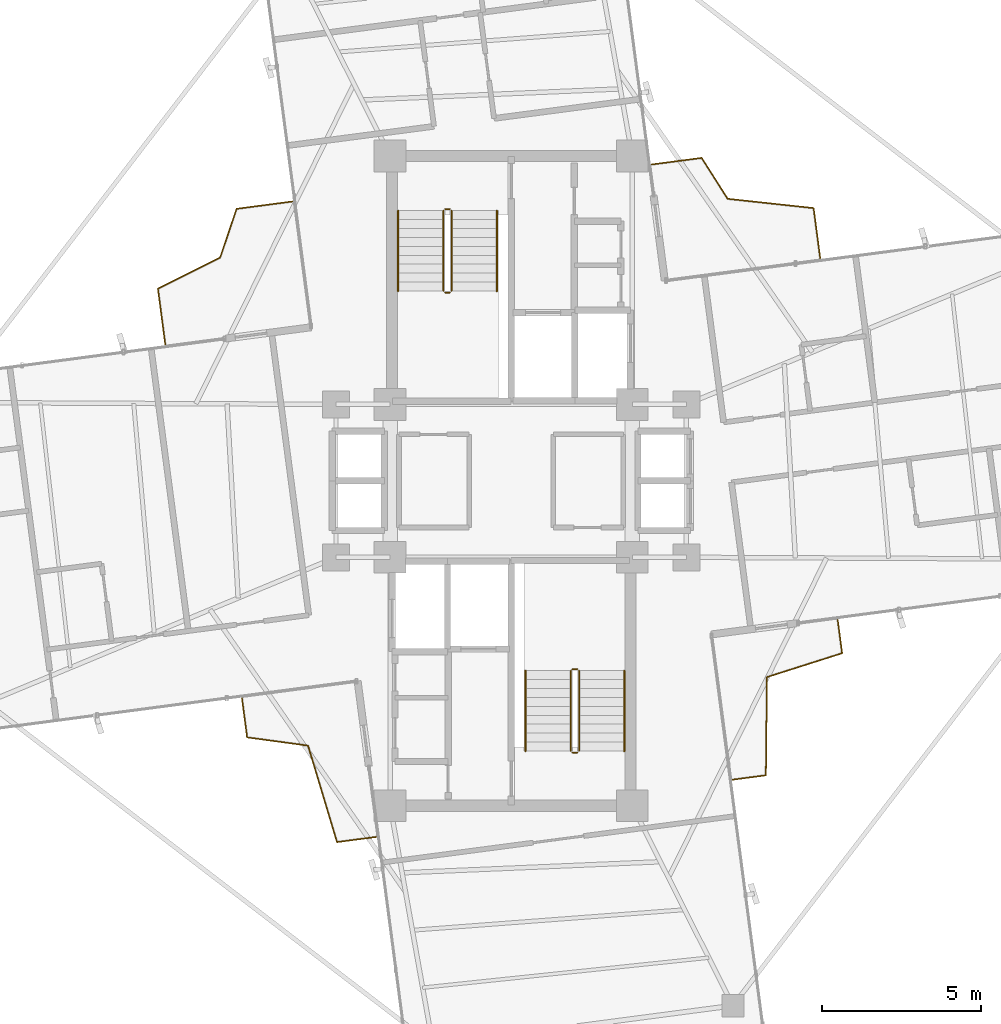
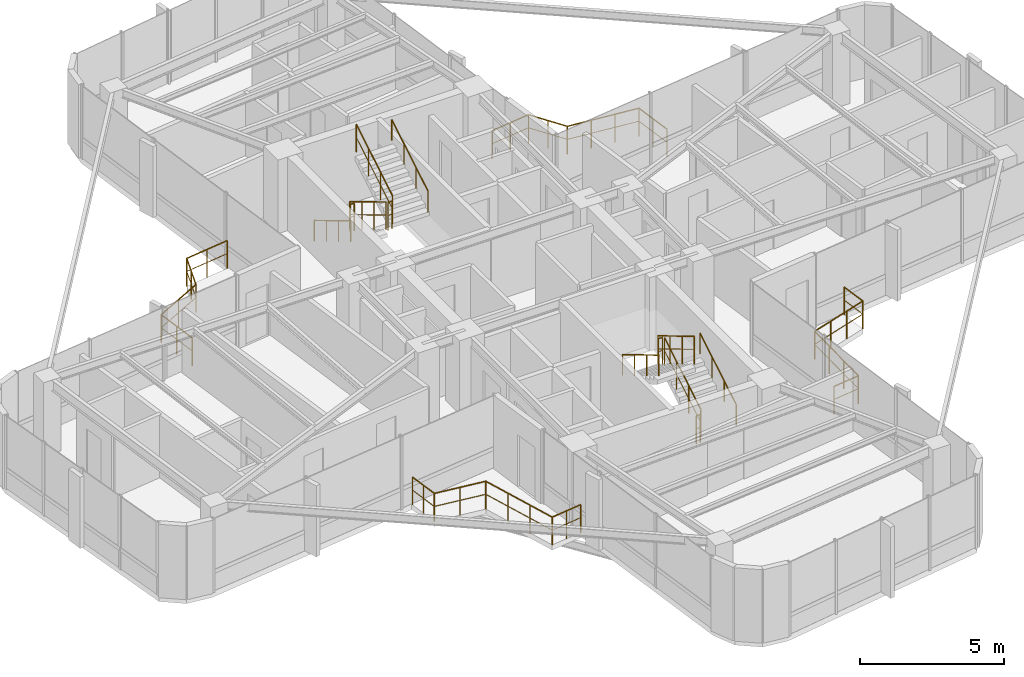
# One storey, part 22 of 22: 16 railings.
"""IFC4 building model written with IfcOpenShell, lengths in metres."""

from ifc_helpers import new_model, si_unit, direction, frame, origin, origin_2d, place, context, subcontext, project, spatial, circle, extrude, material, type_object, element, save


model = new_model("IFC4")

# Units and contexts
model_context = context("Model", 3, precision=1e-05, world=origin(), true_north=direction((0.0, 1.0)))
body_context = subcontext(model_context, "Body", "Model", "MODEL_VIEW")
ifc_project = project(units=[si_unit("LENGTHUNIT", "METRE"), si_unit("AREAUNIT", "SQUARE_METRE"), si_unit("VOLUMEUNIT", "CUBIC_METRE"), si_unit("PLANEANGLEUNIT", "RADIAN"), si_unit("MASSUNIT", "GRAM", prefix="KILO")], contexts=[model_context])

# Site, building, storey
site_placement = place(None, origin())
site = spatial("IfcSite", under=ifc_project, at=site_placement, CompositionType="ELEMENT")
building_placement = place(site_placement, origin())
building = spatial("IfcBuilding", under=site, at=building_placement, Name="Sahyath Konkavel Grand Hotel", CompositionType="ELEMENT")
storey_placement = place(building_placement, frame((0.0, 0.0, 272.449951171875)))
storey = spatial("IfcBuildingStorey", under=building, at=storey_placement, Name="L76", CompositionType="ELEMENT", Elevation=272.449951171875)

# Railings
ifc_material_1 = material(Name="Anodised Bronze Aluminium", Category="aluminium")
railing_type_1 = type_object("IfcRailingType", Name="RLG-BALC-1200", PredefinedType="GUARDRAIL", material=ifc_material_1)
railing_1_placement = place(storey_placement, frame((9.7001953125, 6.98583984375, 0.0)))
element("IfcRailing", 1, at=railing_1_placement, inside=storey, type_object=railing_type_1, Name="L76 Winter-Garden Guard NE", PredefinedType="GUARDRAIL", context=body_context, shape_type="SweptSolid", body=[
    extrude(circle(Radius=0.02392578125, at=origin_2d()), frame((-0.000244140625, 0.001953125, 1.17578125), z_axis=(-0.130494225602, 0.991449069335, 0.0), x_axis=(-0.991449069335, -0.130494225602, 0.0)), (0.0, 0.0, 1.0), 1.586181640625),
    extrude(circle(Radius=0.01416015625, at=origin_2d()), frame((-0.000244140625, 0.001953125, 0.6240234375), z_axis=(-0.130494225602, 0.991449069335, 0.0), x_axis=(-0.991449069335, -0.130494225602, 0.0)), (0.0, 0.0, 1.0), 1.586181640625),
    extrude(circle(Radius=0.02392578125, at=origin_2d()), frame((-0.20947265625, 1.576904296875, 1.17578125), z_axis=(-0.994195610689, 0.107587581468, 0.0), x_axis=(-0.107587581468, -0.994195610689, 0.0)), (0.0, 0.0, 1.0), 2.7099609375),
    extrude(circle(Radius=0.01416015625, at=origin_2d()), frame((-0.20947265625, 1.576904296875, 0.6240234375), z_axis=(-0.994195610689, 0.107587581468, 0.0), x_axis=(-0.107587581468, -0.994195610689, 0.0)), (0.0, 0.0, 1.0), 2.7099609375),
    extrude(circle(Radius=0.02392578125, at=origin_2d()), frame((-2.90673828125, 1.870361328125, 1.17578125), z_axis=(-0.536719701394, 0.843760607125, 0.0), x_axis=(-0.843760607125, -0.536719701394, 0.0)), (0.0, 0.0, 1.0), 1.51708984375),
    extrude(circle(Radius=0.01416015625, at=origin_2d()), frame((-2.90673828125, 1.870361328125, 0.6240234375), z_axis=(-0.536719701394, 0.843760607125, 0.0), x_axis=(-0.843760607125, -0.536719701394, 0.0)), (0.0, 0.0, 1.0), 1.51708984375),
    extrude(circle(Radius=0.02392578125, at=origin_2d()), frame((-3.72412109375, 3.15185546875, 1.17578125), z_axis=(-0.991449069335, -0.130494225602, 0.0), x_axis=(0.130494225602, -0.991449069335, 0.0)), (0.0, 0.0, 1.0), 1.586181640625),
    extrude(circle(Radius=0.01416015625, at=origin_2d()), frame((-3.72412109375, 3.15185546875, 0.6240234375), z_axis=(-0.991449069335, -0.130494225602, 0.0), x_axis=(0.130494225602, -0.991449069335, 0.0)), (0.0, 0.0, 1.0), 1.586181640625),
    extrude(circle(Radius=0.02099609375, at=origin_2d()), origin(), (0.0, 0.0, 1.0), 1.15185546875),
    extrude(circle(Radius=0.02099609375, at=origin_2d()), frame((-0.103759765625, 0.788330078125, 0.0)), (0.0, 0.0, 1.0), 1.15185546875),
    extrude(circle(Radius=0.02099609375, at=origin_2d()), frame((-0.20751953125, 1.57666015625, 0.0)), (0.0, 0.0, 1.0), 1.15185546875),
    extrude(circle(Radius=0.02099609375, at=origin_2d()), frame((-1.10693359375, 1.674072265625, 0.0)), (0.0, 0.0, 1.0), 1.15185546875),
    extrude(circle(Radius=0.02099609375, at=origin_2d()), frame((-2.00634765625, 1.771240234375, 0.0)), (0.0, 0.0, 1.0), 1.15185546875),
    extrude(circle(Radius=0.02099609375, at=origin_2d()), frame((-2.90576171875, 1.86865234375, 0.0)), (0.0, 0.0, 1.0), 1.15185546875),
    extrude(circle(Radius=0.02099609375, at=origin_2d()), frame((-3.31396484375, 2.51025390625, 0.0)), (0.0, 0.0, 1.0), 1.15185546875),
    extrude(circle(Radius=0.02099609375, at=origin_2d()), frame((-3.72216796875, 3.152099609375, 0.0)), (0.0, 0.0, 1.0), 1.15185546875),
    extrude(circle(Radius=0.02099609375, at=origin_2d()), frame((-4.510498046875, 3.04833984375, 0.0)), (0.0, 0.0, 1.0), 1.15185546875),
    extrude(circle(Radius=0.02099609375, at=origin_2d()), frame((-5.298828125, 2.944580078125, 0.0)), (0.0, 0.0, 1.0), 1.15185546875),
])
railing_2_placement = place(storey_placement, frame((-6.863525390625, 8.771240234375, 0.0)))
element("IfcRailing", 2, at=railing_2_placement, inside=storey, type_object=railing_type_1, Name="L76 Winter-Garden Guard NW", PredefinedType="GUARDRAIL", context=body_context, shape_type="SweptSolid", body=[
    extrude(circle(Radius=0.02392578125, at=origin_2d()), frame((-0.001953125, -0.000244140625, 1.17578125), z_axis=(-0.991431298778, -0.13062916904, 0.0), x_axis=(0.13062916904, -0.991431298778, 0.0)), (0.0, 0.0, 1.0), 1.767822265625),
    extrude(circle(Radius=0.01416015625, at=origin_2d()), frame((-0.001953125, -0.000244140625, 0.6240234375), z_axis=(-0.991431298778, -0.13062916904, 0.0), x_axis=(0.13062916904, -0.991431298778, 0.0)), (0.0, 0.0, 1.0), 1.767822265625),
    extrude(circle(Radius=0.02392578125, at=origin_2d()), frame((-1.75732421875, -0.2333984375, 1.17578125), z_axis=(-0.32044580561, -0.947266850295, 0.0), x_axis=(0.947266850295, -0.32044580561, 0.0)), (0.0, 0.0, 1.0), 1.609619140625),
    extrude(circle(Radius=0.01416015625, at=origin_2d()), frame((-1.75732421875, -0.2333984375, 0.6240234375), z_axis=(-0.32044580561, -0.947266850295, 0.0), x_axis=(0.947266850295, -0.32044580561, 0.0)), (0.0, 0.0, 1.0), 1.609619140625),
    extrude(circle(Radius=0.02392578125, at=origin_2d()), frame((-2.275390625, -1.760986328125, 1.17578125), z_axis=(-0.894650685966, -0.446766326059, 0.0), x_axis=(0.446766326059, -0.894650685966, 0.0)), (0.0, 0.0, 1.0), 2.1796875),
    extrude(circle(Radius=0.01416015625, at=origin_2d()), frame((-2.275390625, -1.760986328125, 0.6240234375), z_axis=(-0.894650685966, -0.446766326059, 0.0), x_axis=(0.446766326059, -0.894650685966, 0.0)), (0.0, 0.0, 1.0), 2.1796875),
    extrude(circle(Radius=0.02392578125, at=origin_2d()), frame((-4.22705078125, -2.737548828125, 1.17578125), z_axis=(0.13062916904, -0.991431298778, 0.0), x_axis=(0.991431298778, 0.13062916904, 0.0)), (0.0, 0.0, 1.0), 1.767822265625),
    extrude(circle(Radius=0.01416015625, at=origin_2d()), frame((-4.22705078125, -2.737548828125, 0.6240234375), z_axis=(0.13062916904, -0.991431298778, 0.0), x_axis=(0.991431298778, 0.13062916904, 0.0)), (0.0, 0.0, 1.0), 1.767822265625),
    extrude(circle(Radius=0.02099609375, at=origin_2d()), origin(), (0.0, 0.0, 1.0), 1.15185546875),
    extrude(circle(Radius=0.02099609375, at=origin_2d()), frame((-0.87841796875, -0.11572265625, 0.0)), (0.0, 0.0, 1.0), 1.15185546875),
    extrude(circle(Radius=0.02099609375, at=origin_2d()), frame((-1.756591796875, -0.2314453125, 0.0)), (0.0, 0.0, 1.0), 1.15185546875),
    extrude(circle(Radius=0.02099609375, at=origin_2d()), frame((-2.01513671875, -0.99560546875, 0.0)), (0.0, 0.0, 1.0), 1.15185546875),
    extrude(circle(Radius=0.02099609375, at=origin_2d()), frame((-2.273681640625, -1.760009765625, 0.0)), (0.0, 0.0, 1.0), 1.15185546875),
    extrude(circle(Radius=0.02099609375, at=origin_2d()), frame((-3.25048828125, -2.247802734375, 0.0)), (0.0, 0.0, 1.0), 1.15185546875),
    extrude(circle(Radius=0.02099609375, at=origin_2d()), frame((-4.227294921875, -2.735595703125, 0.0)), (0.0, 0.0, 1.0), 1.15185546875),
    extrude(circle(Radius=0.02099609375, at=origin_2d()), frame((-4.111572265625, -3.61376953125, 0.0)), (0.0, 0.0, 1.0), 1.15185546875),
    extrude(circle(Radius=0.02099609375, at=origin_2d()), frame((-3.995849609375, -4.4921875, 0.0)), (0.0, 0.0, 1.0), 1.15185546875),
])
railing_3_placement = place(storey_placement, frame((-8.452880859375, -6.82177734375, 0.0)))
element("IfcRailing", 3, at=railing_3_placement, inside=storey, type_object=railing_type_1, Name="L76 Winter-Garden Guard SW", PredefinedType="GUARDRAIL", context=body_context, shape_type="SweptSolid", body=[
    extrude(circle(Radius=0.02392578125, at=origin_2d()), frame((0.000244140625, -0.001953125, 1.17578125), z_axis=(0.130566416327, -0.99143956494, 0.0), x_axis=(0.99143956494, 0.130566416327, 0.0)), (0.0, 0.0, 1.0), 1.237548828125),
    extrude(circle(Radius=0.01416015625, at=origin_2d()), frame((0.000244140625, -0.001953125, 0.6240234375), z_axis=(0.130566416327, -0.99143956494, 0.0), x_axis=(0.99143956494, 0.130566416327, 0.0)), (0.0, 0.0, 1.0), 1.237548828125),
    extrude(circle(Radius=0.02392578125, at=origin_2d()), frame((0.1640625, -1.231201171875, 1.17578125), z_axis=(0.990974277225, -0.134052161034, 0.0), x_axis=(0.134052161034, 0.990974277225, 0.0)), (0.0, 0.0, 1.0), 1.926513671875),
    extrude(circle(Radius=0.01416015625, at=origin_2d()), frame((0.1640625, -1.231201171875, 0.6240234375), z_axis=(0.990974277225, -0.134052161034, 0.0), x_axis=(0.134052161034, 0.990974277225, 0.0)), (0.0, 0.0, 1.0), 1.926513671875),
    extrude(circle(Radius=0.02392578125, at=origin_2d()), frame((2.07568359375, -1.49169921875, 1.17578125), z_axis=(0.287546228186, -0.95776676005, 0.0), x_axis=(0.95776676005, 0.287546228186, 0.0)), (0.0, 0.0, 1.0), 3.157958984375),
    extrude(circle(Radius=0.01416015625, at=origin_2d()), frame((2.07568359375, -1.49169921875, 0.6240234375), z_axis=(0.287546228186, -0.95776676005, 0.0), x_axis=(0.95776676005, 0.287546228186, 0.0)), (0.0, 0.0, 1.0), 3.157958984375),
    extrude(circle(Radius=0.02392578125, at=origin_2d()), frame((2.986328125, -4.517822265625, 1.17578125), z_axis=(0.991442916132, 0.130540966947, 0.0), x_axis=(-0.130540966947, 0.991442916132, 0.0)), (0.0, 0.0, 1.0), 1.23779296875),
    extrude(circle(Radius=0.01416015625, at=origin_2d()), frame((2.986328125, -4.517822265625, 0.6240234375), z_axis=(0.991442916132, 0.130540966947, 0.0), x_axis=(-0.130540966947, 0.991442916132, 0.0)), (0.0, 0.0, 1.0), 1.23779296875),
    extrude(circle(Radius=0.02099609375, at=origin_2d()), origin(), (0.0, 0.0, 1.0), 1.15185546875),
    extrude(circle(Radius=0.02099609375, at=origin_2d()), frame((0.0810546875, -0.615478515625, 0.0)), (0.0, 0.0, 1.0), 1.15185546875),
    extrude(circle(Radius=0.02099609375, at=origin_2d()), frame((0.162109375, -1.23095703125, 0.0)), (0.0, 0.0, 1.0), 1.15185546875),
    extrude(circle(Radius=0.02099609375, at=origin_2d()), frame((1.11865234375, -1.3603515625, 0.0)), (0.0, 0.0, 1.0), 1.15185546875),
    extrude(circle(Radius=0.02099609375, at=origin_2d()), frame((2.0751953125, -1.48974609375, 0.0)), (0.0, 0.0, 1.0), 1.15185546875),
    extrude(circle(Radius=0.02099609375, at=origin_2d()), frame((2.378173828125, -2.499267578125, 0.0)), (0.0, 0.0, 1.0), 1.15185546875),
    extrude(circle(Radius=0.02099609375, at=origin_2d()), frame((2.681396484375, -3.508544921875, 0.0)), (0.0, 0.0, 1.0), 1.15185546875),
    extrude(circle(Radius=0.02099609375, at=origin_2d()), frame((2.984375, -4.51806640625, 0.0)), (0.0, 0.0, 1.0), 1.15185546875),
    extrude(circle(Radius=0.02099609375, at=origin_2d()), frame((3.60009765625, -4.43701171875, 0.0)), (0.0, 0.0, 1.0), 1.15185546875),
    extrude(circle(Radius=0.02099609375, at=origin_2d()), frame((4.215576171875, -4.35595703125, 0.0)), (0.0, 0.0, 1.0), 1.15185546875),
])
railing_4_placement = place(storey_placement, frame((6.944091796875, -9.3818359375, 0.0)))
element("IfcRailing", 4, at=railing_4_placement, inside=storey, type_object=railing_type_1, Name="L76 Winter-Garden Guard SE", PredefinedType="GUARDRAIL", context=body_context, shape_type="SweptSolid", body=[
    extrude(circle(Radius=0.02392578125, at=origin_2d()), frame((0.001953125, 0.000244140625, 1.17578125), z_axis=(0.991437826512, 0.130579616175, 0.0), x_axis=(-0.130579616175, 0.991437826512, 0.0)), (0.0, 0.0, 1.0), 1.05615234375),
    extrude(circle(Radius=0.01416015625, at=origin_2d()), frame((0.001953125, 0.000244140625, 0.6240234375), z_axis=(0.991437826512, 0.130579616175, 0.0), x_axis=(-0.130579616175, 0.991437826512, 0.0)), (0.0, 0.0, 1.0), 1.05615234375),
    extrude(circle(Radius=0.02392578125, at=origin_2d()), frame((1.051025390625, 0.140380859375, 1.17578125), z_axis=(0.010928309117, 0.999940284247, 0.0), x_axis=(-0.999940284247, 0.010928309117, 0.0)), (0.0, 0.0, 1.0), 3.078857421875),
    extrude(circle(Radius=0.01416015625, at=origin_2d()), frame((1.051025390625, 0.140380859375, 0.6240234375), z_axis=(0.010928309117, 0.999940284247, 0.0), x_axis=(-0.999940284247, 0.010928309117, 0.0)), (0.0, 0.0, 1.0), 3.078857421875),
    extrude(circle(Radius=0.02392578125, at=origin_2d()), frame((1.086669921875, 3.2216796875, 1.17578125), z_axis=(0.953000898327, 0.302967469851, 0.0), x_axis=(-0.302967469851, 0.953000898327, 0.0)), (0.0, 0.0, 1.0), 2.470703125),
    extrude(circle(Radius=0.01416015625, at=origin_2d()), frame((1.086669921875, 3.2216796875, 0.6240234375), z_axis=(0.953000898327, 0.302967469851, 0.0), x_axis=(-0.302967469851, 0.953000898327, 0.0)), (0.0, 0.0, 1.0), 2.470703125),
    extrude(circle(Radius=0.02392578125, at=origin_2d()), frame((3.44287109375, 3.972900390625, 1.17578125), z_axis=(-0.130549808033, 0.991441752007, 0.0), x_axis=(-0.991441752007, -0.130549808033, 0.0)), (0.0, 0.0, 1.0), 1.056396484375),
    extrude(circle(Radius=0.01416015625, at=origin_2d()), frame((3.44287109375, 3.972900390625, 0.6240234375), z_axis=(-0.130549808033, 0.991441752007, 0.0), x_axis=(-0.991441752007, -0.130549808033, 0.0)), (0.0, 0.0, 1.0), 1.056396484375),
    extrude(circle(Radius=0.02099609375, at=origin_2d()), origin(), (0.0, 0.0, 1.0), 1.15185546875),
    extrude(circle(Radius=0.02099609375, at=origin_2d()), frame((1.051025390625, 0.138427734375, 0.0)), (0.0, 0.0, 1.0), 1.15185546875),
    extrude(circle(Radius=0.02099609375, at=origin_2d()), frame((1.062255859375, 1.166015625, 0.0)), (0.0, 0.0, 1.0), 1.15185546875),
    extrude(circle(Radius=0.02099609375, at=origin_2d()), frame((1.073486328125, 2.193603515625, 0.0)), (0.0, 0.0, 1.0), 1.15185546875),
    extrude(circle(Radius=0.02099609375, at=origin_2d()), frame((1.084716796875, 3.22119140625, 0.0)), (0.0, 0.0, 1.0), 1.15185546875),
    extrude(circle(Radius=0.02099609375, at=origin_2d()), frame((1.870849609375, 3.47119140625, 0.0)), (0.0, 0.0, 1.0), 1.15185546875),
    extrude(circle(Radius=0.02099609375, at=origin_2d()), frame((2.656982421875, 3.720947265625, 0.0)), (0.0, 0.0, 1.0), 1.15185546875),
    extrude(circle(Radius=0.02099609375, at=origin_2d()), frame((3.443115234375, 3.970947265625, 0.0)), (0.0, 0.0, 1.0), 1.15185546875),
    extrude(circle(Radius=0.02099609375, at=origin_2d()), frame((3.3046875, 5.022216796875, 0.0)), (0.0, 0.0, 1.0), 1.15185546875),
])
ifc_material_2 = material(Name="Steel E350", Category="steel")
railing_type_2 = type_object("IfcRailingType", Name="RLG-STAIR-GRD", PredefinedType="GUARDRAIL", material=ifc_material_2)
railing_5_placement = place(storey_placement, frame((-2.1298828125, 8.47998046875, 0.16748046875)))
element("IfcRailing", 5, at=railing_5_placement, inside=storey, type_object=railing_type_2, Name="L76 ST-1 stair guard 1", PredefinedType="GUARDRAIL", context=body_context, shape_type="SweptSolid", body=[
    extrude(circle(Radius=0.02392578125, at=origin_2d()), frame((0.0, -0.001708984375, 1.177001953125), z_axis=(0.0, -0.858159760407, 0.513382728203), x_axis=(1.0, 0.0, 0.0)), (0.0, 0.0, 1.0), 2.9326171875),
    extrude(circle(Radius=0.01416015625, at=origin_2d()), frame((0.0, -0.001708984375, 0.625), z_axis=(0.0, -0.858159760407, 0.513382728203), x_axis=(1.0, 0.0, 0.0)), (0.0, 0.0, 1.0), 2.9326171875),
    extrude(circle(Radius=0.02099609375, at=origin_2d()), origin(), (0.0, 0.0, 1.0), 1.15185546875),
    extrude(circle(Radius=0.02099609375, at=origin_2d()), frame((0.0, -0.840087890625, 0.50244140625)), (0.0, 0.0, 1.0), 1.15185546875),
    extrude(circle(Radius=0.02099609375, at=origin_2d()), frame((0.0, -1.679931640625, 1.005126953125)), (0.0, 0.0, 1.0), 1.15185546875),
    extrude(circle(Radius=0.02099609375, at=origin_2d()), frame((0.0, -2.52001953125, 1.507568359375)), (0.0, 0.0, 1.0), 1.15185546875),
])
railing_6_placement = place(storey_placement, frame((-2.080078125, 5.909912109375, 1.675048828125)))
element("IfcRailing", 6, at=railing_6_placement, inside=storey, type_object=railing_type_2, Name="L76 ST-1 stair guard 2", PredefinedType="GUARDRAIL", context=body_context, shape_type="SweptSolid", body=[
    extrude(circle(Radius=0.02392578125, at=origin_2d()), frame((0.001953125, 0.0, 1.17578125), z_axis=(1.0, 0.0, 0.0), x_axis=(0.0, 1.0, 0.0)), (0.0, 0.0, 1.0), 0.15625),
    extrude(circle(Radius=0.01416015625, at=origin_2d()), frame((0.001953125, 0.0, 0.6240234375), z_axis=(1.0, 0.0, 0.0), x_axis=(0.0, 1.0, 0.0)), (0.0, 0.0, 1.0), 0.15625),
    extrude(circle(Radius=0.02099609375, at=origin_2d()), origin(), (0.0, 0.0, 1.0), 1.15185546875),
    extrude(circle(Radius=0.02099609375, at=origin_2d()), frame((0.16015625, 0.0, 0.0)), (0.0, 0.0, 1.0), 1.15185546875),
])
railing_7_placement = place(storey_placement, frame((-1.8701171875, 5.9599609375, 1.842529296875)))
element("IfcRailing", 7, at=railing_7_placement, inside=storey, type_object=railing_type_2, Name="L76 ST-1 stair guard 3", PredefinedType="GUARDRAIL", context=body_context, shape_type="SweptSolid", body=[
    extrude(circle(Radius=0.02392578125, at=origin_2d()), frame((0.0, 0.001708984375, 1.177001953125), z_axis=(0.0, 0.858159760407, 0.513382728203), x_axis=(-1.0, 0.0, 0.0)), (0.0, 0.0, 1.0), 2.9326171875),
    extrude(circle(Radius=0.01416015625, at=origin_2d()), frame((0.0, 0.001708984375, 0.625), z_axis=(0.0, 0.858159760407, 0.513382728203), x_axis=(-1.0, 0.0, 0.0)), (0.0, 0.0, 1.0), 2.9326171875),
    extrude(circle(Radius=0.02099609375, at=origin_2d()), origin(), (0.0, 0.0, 1.0), 1.15185546875),
    extrude(circle(Radius=0.02099609375, at=origin_2d()), frame((0.0, 0.840087890625, 0.50244140625)), (0.0, 0.0, 1.0), 1.15185546875),
    extrude(circle(Radius=0.02099609375, at=origin_2d()), frame((0.0, 1.679931640625, 1.005126953125)), (0.0, 0.0, 1.0), 1.15185546875),
    extrude(circle(Radius=0.02099609375, at=origin_2d()), frame((0.0, 2.52001953125, 1.507568359375)), (0.0, 0.0, 1.0), 1.15185546875),
])
railing_8_placement = place(storey_placement, frame((-2.080078125, 8.530029296875, 0.0)))
element("IfcRailing", 8, at=railing_8_placement, inside=storey, type_object=railing_type_2, Name="L76 ST-1 stair guard 4", PredefinedType="GUARDRAIL", context=body_context, shape_type="SweptSolid", body=[
    extrude(circle(Radius=0.02392578125, at=origin_2d()), frame((0.001953125, 0.0, 1.17578125), z_axis=(1.0, 0.0, 0.0), x_axis=(0.0, 1.0, 0.0)), (0.0, 0.0, 1.0), 0.15625),
    extrude(circle(Radius=0.01416015625, at=origin_2d()), frame((0.001953125, 0.0, 0.6240234375), z_axis=(1.0, 0.0, 0.0), x_axis=(0.0, 1.0, 0.0)), (0.0, 0.0, 1.0), 0.15625),
    extrude(circle(Radius=0.02099609375, at=origin_2d()), origin(), (0.0, 0.0, 1.0), 1.15185546875),
    extrude(circle(Radius=0.02099609375, at=origin_2d()), frame((0.16015625, 0.0, 0.0)), (0.0, 0.0, 1.0), 1.15185546875),
])
railing_9_placement = place(storey_placement, frame((2.1298828125, -8.47998046875, 0.16748046875)))
element("IfcRailing", 9, at=railing_9_placement, inside=storey, type_object=railing_type_2, Name="L76 ST-2 stair guard 1", PredefinedType="GUARDRAIL", context=body_context, shape_type="SweptSolid", body=[
    extrude(circle(Radius=0.02392578125, at=origin_2d()), frame((0.0, 0.001708984375, 1.177001953125), z_axis=(0.0, 0.858159760407, 0.513382728203), x_axis=(-1.0, 0.0, 0.0)), (0.0, 0.0, 1.0), 2.9326171875),
    extrude(circle(Radius=0.01416015625, at=origin_2d()), frame((0.0, 0.001708984375, 0.625), z_axis=(0.0, 0.858159760407, 0.513382728203), x_axis=(-1.0, 0.0, 0.0)), (0.0, 0.0, 1.0), 2.9326171875),
    extrude(circle(Radius=0.02099609375, at=origin_2d()), origin(), (0.0, 0.0, 1.0), 1.15185546875),
    extrude(circle(Radius=0.02099609375, at=origin_2d()), frame((0.0, 0.840087890625, 0.50244140625)), (0.0, 0.0, 1.0), 1.15185546875),
    extrude(circle(Radius=0.02099609375, at=origin_2d()), frame((0.0, 1.679931640625, 1.005126953125)), (0.0, 0.0, 1.0), 1.15185546875),
    extrude(circle(Radius=0.02099609375, at=origin_2d()), frame((0.0, 2.52001953125, 1.507568359375)), (0.0, 0.0, 1.0), 1.15185546875),
])
railing_10_placement = place(storey_placement, frame((2.080078125, -5.909912109375, 1.675048828125)))
element("IfcRailing", 10, at=railing_10_placement, inside=storey, type_object=railing_type_2, Name="L76 ST-2 stair guard 2", PredefinedType="GUARDRAIL", context=body_context, shape_type="SweptSolid", body=[
    extrude(circle(Radius=0.02392578125, at=origin_2d()), frame((-0.001953125, 0.0, 1.17578125), z_axis=(-1.0, 0.0, 0.0), x_axis=(0.0, -1.0, 0.0)), (0.0, 0.0, 1.0), 0.15625),
    extrude(circle(Radius=0.01416015625, at=origin_2d()), frame((-0.001953125, 0.0, 0.6240234375), z_axis=(-1.0, 0.0, 0.0), x_axis=(0.0, -1.0, 0.0)), (0.0, 0.0, 1.0), 0.15625),
    extrude(circle(Radius=0.02099609375, at=origin_2d()), origin(), (0.0, 0.0, 1.0), 1.15185546875),
    extrude(circle(Radius=0.02099609375, at=origin_2d()), frame((-0.16015625, 0.0, 0.0)), (0.0, 0.0, 1.0), 1.15185546875),
])
railing_11_placement = place(storey_placement, frame((1.8701171875, -5.9599609375, 1.842529296875)))
element("IfcRailing", 11, at=railing_11_placement, inside=storey, type_object=railing_type_2, Name="L76 ST-2 stair guard 3", PredefinedType="GUARDRAIL", context=body_context, shape_type="SweptSolid", body=[
    extrude(circle(Radius=0.02392578125, at=origin_2d()), frame((0.0, -0.001708984375, 1.177001953125), z_axis=(0.0, -0.858159760407, 0.513382728203), x_axis=(1.0, 0.0, 0.0)), (0.0, 0.0, 1.0), 2.9326171875),
    extrude(circle(Radius=0.01416015625, at=origin_2d()), frame((0.0, -0.001708984375, 0.625), z_axis=(0.0, -0.858159760407, 0.513382728203), x_axis=(1.0, 0.0, 0.0)), (0.0, 0.0, 1.0), 2.9326171875),
    extrude(circle(Radius=0.02099609375, at=origin_2d()), origin(), (0.0, 0.0, 1.0), 1.15185546875),
    extrude(circle(Radius=0.02099609375, at=origin_2d()), frame((0.0, -0.840087890625, 0.50244140625)), (0.0, 0.0, 1.0), 1.15185546875),
    extrude(circle(Radius=0.02099609375, at=origin_2d()), frame((0.0, -1.679931640625, 1.005126953125)), (0.0, 0.0, 1.0), 1.15185546875),
    extrude(circle(Radius=0.02099609375, at=origin_2d()), frame((0.0, -2.52001953125, 1.507568359375)), (0.0, 0.0, 1.0), 1.15185546875),
])
railing_12_placement = place(storey_placement, frame((2.080078125, -8.530029296875, 0.0)))
element("IfcRailing", 12, at=railing_12_placement, inside=storey, type_object=railing_type_2, Name="L76 ST-2 stair guard 4", PredefinedType="GUARDRAIL", context=body_context, shape_type="SweptSolid", body=[
    extrude(circle(Radius=0.02392578125, at=origin_2d()), frame((-0.001953125, 0.0, 1.17578125), z_axis=(-1.0, 0.0, 0.0), x_axis=(0.0, -1.0, 0.0)), (0.0, 0.0, 1.0), 0.15625),
    extrude(circle(Radius=0.01416015625, at=origin_2d()), frame((-0.001953125, 0.0, 0.6240234375), z_axis=(-1.0, 0.0, 0.0), x_axis=(0.0, -1.0, 0.0)), (0.0, 0.0, 1.0), 0.15625),
    extrude(circle(Radius=0.02099609375, at=origin_2d()), origin(), (0.0, 0.0, 1.0), 1.15185546875),
    extrude(circle(Radius=0.02099609375, at=origin_2d()), frame((-0.16015625, 0.0, 0.0)), (0.0, 0.0, 1.0), 1.15185546875),
])
railing_type_3 = type_object("IfcRailingType", Name="RLG-STAIR-HND", PredefinedType="HANDRAIL", material=ifc_material_1)
railing_13_placement = place(storey_placement, frame((-3.550048828125, 8.47998046875, 0.16748046875)))
element("IfcRailing", 13, at=railing_13_placement, inside=storey, type_object=railing_type_3, Name="L76 ST-1 stair handrail 1", PredefinedType="HANDRAIL", context=body_context, shape_type="SweptSolid", body=[
    extrude(circle(Radius=0.02392578125, at=origin_2d()), frame((0.0, -0.001708984375, 0.876953125), z_axis=(0.0, -0.858159760407, 0.513382728203), x_axis=(1.0, 0.0, 0.0)), (0.0, 0.0, 1.0), 2.9326171875),
    extrude(circle(Radius=0.02099609375, at=origin_2d()), origin(), (0.0, 0.0, 1.0), 0.851806640625),
    extrude(circle(Radius=0.02099609375, at=origin_2d()), frame((0.0, -0.840087890625, 0.50244140625)), (0.0, 0.0, 1.0), 0.851806640625),
    extrude(circle(Radius=0.02099609375, at=origin_2d()), frame((0.0, -1.679931640625, 1.005126953125)), (0.0, 0.0, 1.0), 0.851806640625),
    extrude(circle(Radius=0.02099609375, at=origin_2d()), frame((0.0, -2.52001953125, 1.507568359375)), (0.0, 0.0, 1.0), 0.851806640625),
])
for number, where, name in (
    (14, (-0.449951171875, 5.9599609375, 1.842529296875), "L76 ST-1 stair handrail 2"),
    (15, (3.550048828125, -8.47998046875, 0.16748046875), "L76 ST-2 stair handrail 1"),
):
    element("IfcRailing", number, at=place(storey_placement, frame(where)), inside=storey, type_object=railing_type_3, Name=name, PredefinedType="HANDRAIL", context=body_context, shape_type="SweptSolid", body=[
        extrude(circle(Radius=0.02392578125, at=origin_2d()), frame((0.0, 0.001708984375, 0.876953125), z_axis=(0.0, 0.858159760407, 0.513382728203), x_axis=(-1.0, 0.0, 0.0)), (0.0, 0.0, 1.0), 2.9326171875),
        extrude(circle(Radius=0.02099609375, at=origin_2d()), origin(), (0.0, 0.0, 1.0), 0.851806640625),
        extrude(circle(Radius=0.02099609375, at=origin_2d()), frame((0.0, 0.840087890625, 0.50244140625)), (0.0, 0.0, 1.0), 0.851806640625),
        extrude(circle(Radius=0.02099609375, at=origin_2d()), frame((0.0, 1.679931640625, 1.005126953125)), (0.0, 0.0, 1.0), 0.851806640625),
        extrude(circle(Radius=0.02099609375, at=origin_2d()), frame((0.0, 2.52001953125, 1.507568359375)), (0.0, 0.0, 1.0), 0.851806640625),
    ])
railing_14_placement = place(storey_placement, frame((0.449951171875, -5.9599609375, 1.842529296875)))
element("IfcRailing", 16, at=railing_14_placement, inside=storey, type_object=railing_type_3, Name="L76 ST-2 stair handrail 2", PredefinedType="HANDRAIL", context=body_context, shape_type="SweptSolid", body=[
    extrude(circle(Radius=0.02392578125, at=origin_2d()), frame((0.0, -0.001708984375, 0.876953125), z_axis=(0.0, -0.858159760407, 0.513382728203), x_axis=(1.0, 0.0, 0.0)), (0.0, 0.0, 1.0), 2.9326171875),
    extrude(circle(Radius=0.02099609375, at=origin_2d()), origin(), (0.0, 0.0, 1.0), 0.851806640625),
    extrude(circle(Radius=0.02099609375, at=origin_2d()), frame((0.0, -0.840087890625, 0.50244140625)), (0.0, 0.0, 1.0), 0.851806640625),
    extrude(circle(Radius=0.02099609375, at=origin_2d()), frame((0.0, -1.679931640625, 1.005126953125)), (0.0, 0.0, 1.0), 0.851806640625),
    extrude(circle(Radius=0.02099609375, at=origin_2d()), frame((0.0, -2.52001953125, 1.507568359375)), (0.0, 0.0, 1.0), 0.851806640625),
])

save(model, "model.ifc")
